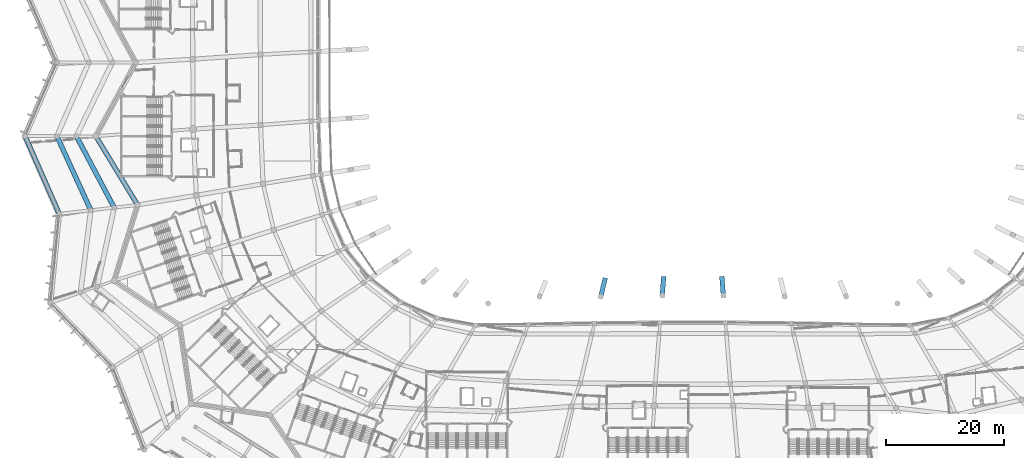
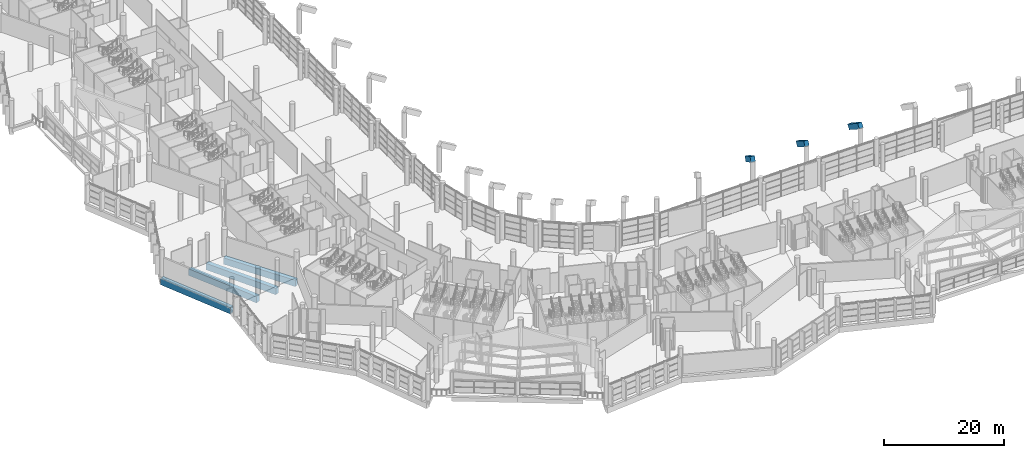
# One storey, part 29 of 271: 7 beams.
"""IFC4 building model written with IfcOpenShell, lengths in metres."""

import ifcopenshell
import ifcopenshell.guid

model = None  # the IFC model being written
_history = None  # IfcOwnerHistory: only IFC2X3 demands one
_inside = {}  # id of a spatial element -> (the spatial element, [elements in it])
_under = {}  # id of a project, library or spatial element -> (it, [spatial elements below it])
_declared = {}  # id of a project -> (the project, [libraries it declares])
_typed = {}  # id of a type object -> (the type object, [elements of that type])
_made_of = {}  # id of a material, layer set ... -> (it, [elements and type objects made of it])


def new_model(schema):
    """Start an empty IFC model of exactly this schema.

    Asked for "IFC4X3", IfcOpenShell would pick the latest addendum, in which some entities
    have other attributes; the version numbers below select the first issue.
    IFC2X3 requires an IfcOwnerHistory on every rooted entity: one is made here for all.
    """
    global model, _history
    if schema == "IFC4X3":
        model = ifcopenshell.file(schema_version=(4, 3, 0, 0))
    else:
        model = ifcopenshell.file(schema=schema)
    _inside.clear()
    _under.clear()
    _declared.clear()
    _typed.clear()
    _made_of.clear()
    _history = None
    if model.schema == "IFC2X3":
        org = make("IfcOrganization", Name="unknown")
        user = make(
            "IfcPersonAndOrganization",
            ThePerson=make("IfcPerson", FamilyName="unknown"),
            TheOrganization=org,
        )
        app = make(
            "IfcApplication",
            ApplicationDeveloper=org,
            Version="unknown",
            ApplicationFullName="unknown",
            ApplicationIdentifier="unknown",
        )
        _history = make(
            "IfcOwnerHistory",
            OwningUser=user,
            OwningApplication=app,
            ChangeAction="ADDED",
            CreationDate=0,
        )
    return model


def make(cls, **values):
    """One entity of the class cls with the attributes given. An attribute that is None is left unset."""
    return model.create_entity(
        cls, **{name: value for name, value in values.items() if value is not None}
    )


def rooted(cls, **values):
    """An entity with a GlobalId (a new one), such as an element, a storey or a relation."""
    return make(cls, GlobalId=ifcopenshell.guid.new(), OwnerHistory=_history, **values)


def si_unit(unit_type, name, prefix=None):
    """IfcSIUnit, for example si_unit("LENGTHUNIT", "METRE", prefix="MILLI")."""
    return make("IfcSIUnit", UnitType=unit_type, Prefix=prefix, Name=name)


def assignment(units):
    """IfcUnitAssignment: the units of a project."""
    return None if units is None else make("IfcUnitAssignment", Units=units)


def point(xyz):
    """IfcCartesianPoint."""
    return None if xyz is None else make("IfcCartesianPoint", Coordinates=xyz)


def direction(xyz):
    """IfcDirection."""
    return None if xyz is None else make("IfcDirection", DirectionRatios=xyz)


def frame(location, z_axis=None, x_axis=None):
    """IfcAxis2Placement3D, a coordinate frame: its origin and axes. An axis left out is left unset."""
    return make(
        "IfcAxis2Placement3D",
        Location=point(location),
        Axis=direction(z_axis),
        RefDirection=direction(x_axis),
    )


def frame_2d(location, x_axis=None):
    """IfcAxis2Placement2D, a coordinate frame in the plane: its origin and x axis."""
    return make(
        "IfcAxis2Placement2D", Location=point(location), RefDirection=direction(x_axis)
    )


def origin():
    """The frame at (0, 0, 0) with its axes left unset."""
    return frame((0.0, 0.0, 0.0))


def origin_2d():
    """The frame at (0, 0) in the plane with its x axis left unset."""
    return frame_2d((0.0, 0.0))


def place(relative_to, where):
    """IfcLocalPlacement: puts the frame where relative to a parent placement (None: the world)."""
    return make(
        "IfcLocalPlacement", PlacementRelTo=relative_to, RelativePlacement=where
    )


def context(
    kind, dimensions, precision=None, world=None, true_north=None, identifier=None
):
    """IfcGeometricRepresentationContext, for example the 3D "Model" context."""
    return make(
        "IfcGeometricRepresentationContext",
        ContextIdentifier=identifier,
        ContextType=kind,
        CoordinateSpaceDimension=dimensions,
        Precision=precision,
        WorldCoordinateSystem=world,
        TrueNorth=true_north,
    )


def subcontext(parent, identifier, kind, view, scale=None):
    """IfcGeometricRepresentationSubContext, for example "Body" below "Model"."""
    return make(
        "IfcGeometricRepresentationSubContext",
        ContextIdentifier=identifier,
        ContextType=kind,
        ParentContext=parent,
        TargetScale=scale,
        TargetView=view,
    )


def project(units=None, contexts=None):
    """IfcProject with its units and contexts."""
    return rooted(
        "IfcProject",
        Name="project",
        RepresentationContexts=contexts,
        UnitsInContext=assignment(units),
    )


def spatial(cls, under=None, at=None, **own):
    """A site, building, storey or space (cls), placed at a placement, below another one or the project."""
    s = rooted(cls, ObjectPlacement=at, **own)
    if under is not None:
        _under.setdefault(under.id(), (under, []))[1].append(s)
    return s


def profile(cls, at=None, kind="AREA", **sizes):
    """A parametric profile (cls). Its sizes go by their IFC names, for example OverallWidth=200.0."""
    return make(cls, ProfileType=kind, Position=at, **sizes)


def rectangle(**sizes):
    """IfcRectangleProfileDef."""
    return profile("IfcRectangleProfileDef", **sizes)


def extrude(swept, where, along, depth):
    """IfcExtrudedAreaSolid: the profile swept, set in the frame where, extruded along a direction by depth."""
    return make(
        "IfcExtrudedAreaSolid",
        SweptArea=swept,
        Position=where,
        ExtrudedDirection=direction(along),
        Depth=depth,
    )


def shape(context_of_items, identifier, shape_type, items):
    """IfcShapeRepresentation: the items that make up one representation, for example the "Body"."""
    return make(
        "IfcShapeRepresentation",
        ContextOfItems=context_of_items,
        RepresentationIdentifier=identifier,
        RepresentationType=shape_type,
        Items=items,
    )


def material(Name=None, Category=None):
    """IfcMaterial."""
    return make("IfcMaterial", Name=Name, Category=Category)


def material_profile(
    of_material, cross_section, Name=None, Category=None, Priority=None
):
    """IfcMaterialProfile: a cross section and its material."""
    return make(
        "IfcMaterialProfile",
        Name=Name,
        Material=of_material,
        Profile=cross_section,
        Priority=Priority,
        Category=Category,
    )


def profile_set(profiles, Name=None, composite=None):
    """IfcMaterialProfileSet."""
    return make(
        "IfcMaterialProfileSet",
        Name=Name,
        MaterialProfiles=profiles,
        CompositeProfile=composite,
    )


def made_of(thing, what):
    """Note that an element or type object is made of a material, layer set ...; save() writes the relation."""
    if what is not None:
        _made_of.setdefault(what.id(), (what, []))[1].append(thing)
    return thing


def type_object(cls, material=None, **own):
    """A type object (cls), such as IfcWallType, which elements share."""
    return made_of(rooted(cls, **own), material)


def element(
    cls,
    number,
    at=None,
    inside=None,
    cuts=None,
    type_object=None,
    material=None,
    context=None,
    identifier="Body",
    shape_type=None,
    held_by="IfcProductDefinitionShape",
    body=None,
    shapes=None,
    **own,
):
    """One element of the class cls, such as IfcWall. Its Tag is "e" and its number.

    at: its placement. inside: the storey or other place that contains it. cuts: it is an
    opening in that element (IfcRelVoidsElement). A single representation is given by context,
    identifier, shape_type and body (its items); several are given by shapes. held_by: the class
    of the entity that holds the representations. save() writes the other relations.
    """
    e = rooted(cls, Tag="e%d" % number, ObjectPlacement=at, **own)
    if body is not None:
        shapes = [shape(context, identifier, shape_type, body)]
    if shapes is not None:
        e.Representation = make(held_by, Representations=shapes)
    if inside is not None:
        _inside.setdefault(inside.id(), (inside, []))[1].append(e)
    if cuts is not None:
        rooted(
            "IfcRelVoidsElement", RelatingBuildingElement=cuts, RelatedOpeningElement=e
        )
    if type_object is not None:
        _typed.setdefault(type_object.id(), (type_object, []))[1].append(e)
    return made_of(e, material)


def aggregate(whole, parts):
    """IfcRelAggregates: a whole, such as a stair, and the parts it consists of."""
    return rooted("IfcRelAggregates", RelatingObject=whole, RelatedObjects=parts)


def save(model, path):
    """Write the relations noted so far, then the file.

    IfcRelAggregates (storeys below a building ...), IfcRelContainedInSpatialStructure (elements
    in a storey), IfcRelDefinesByType, IfcRelAssociatesMaterial and IfcRelDeclares: one each for
    every whole, place, type object, material and project.
    """
    for whole, parts in _under.values():
        aggregate(whole, parts)
    for where, things in _inside.values():
        rooted(
            "IfcRelContainedInSpatialStructure",
            RelatedElements=things,
            RelatingStructure=where,
        )
    for kind, things in _typed.values():
        rooted("IfcRelDefinesByType", RelatedObjects=things, RelatingType=kind)
    for what, things in _made_of.values():
        rooted("IfcRelAssociatesMaterial", RelatedObjects=things, RelatingMaterial=what)
    for by, libraries in _declared.values():
        rooted("IfcRelDeclares", RelatingContext=by, RelatedDefinitions=libraries)
    model.write(path)


model = new_model("IFC4")

# Units and contexts
model_context = context("Model", 3, precision=1e-05, world=origin(), true_north=direction((0.0, 1.0)))
body_context = subcontext(model_context, "Body", "Model", "MODEL_VIEW")
ifc_project = project(units=[si_unit("LENGTHUNIT", "METRE"), si_unit("AREAUNIT", "SQUARE_METRE"), si_unit("VOLUMEUNIT", "CUBIC_METRE"), si_unit("PLANEANGLEUNIT", "RADIAN"), si_unit("MASSUNIT", "GRAM", prefix="KILO")], contexts=[model_context])

# Site, building, storey
site_placement = place(None, origin())
site = spatial("IfcSite", under=ifc_project, at=site_placement, CompositionType="ELEMENT")
building_placement = place(site_placement, origin())
building = spatial("IfcBuilding", under=site, at=building_placement, Name="Meseta Stadium", CompositionType="ELEMENT")
storey_placement = place(building_placement, frame((0.0, 0.0, 6.5)))
storey = spatial("IfcBuildingStorey", under=building, at=storey_placement, Name="L01", CompositionType="ELEMENT", Elevation=6.5)

# Beams
ifc_material_1 = material(Name="Concrete C40/50", Category="concrete")
ifc_material_profile_1 = material_profile(ifc_material_1, rectangle(XDim=0.800048828125, YDim=1.300048828125, at=origin_2d()), Name="RC 800x1300")
ifc_profile_set_1 = profile_set([ifc_material_profile_1], Name="Concrete C40/50")
beam_type_1 = type_object("IfcBeamType", Name="RC beam 800x1300", PredefinedType="BEAM", material=ifc_profile_set_1)
beam_1_placement = place(storey_placement, frame((-101.39990234375, -43.75, -1.0), z_axis=(0.519358064651, -0.854556727598, 0.0), x_axis=(0.854556727598, 0.519358064651, 0.0)))
element("IfcBeam", 1, at=beam_1_placement, inside=storey, type_object=beam_type_1, Name="L01 ring beam frame 36 line R", PredefinedType="BEAM", context=body_context, shape_type="SweptSolid", body=[
    extrude(rectangle(XDim=0.800048828125, YDim=1.300048828125, at=origin_2d()), origin(), (0.0, 0.0, 1.0), 13.68115234375),
])
beam_2_placement = place(storey_placement, frame((-104.699951171875, -43.75, -1.0), z_axis=(0.468110622218, -0.88366987352, 0.0), x_axis=(0.88366987352, 0.468110622218, 0.0)))
element("IfcBeam", 2, at=beam_2_placement, inside=storey, type_object=beam_type_1, Name="L01 ring beam frame 36 line M", PredefinedType="BEAM", context=body_context, shape_type="SweptSolid", body=[
    extrude(rectangle(XDim=0.800048828125, YDim=1.300048828125, at=origin_2d()), origin(), (0.0, 0.0, 1.0), 13.737548828125),
])
beam_3_placement = place(storey_placement, frame((-108.0, -43.75, -1.0), z_axis=(0.415863139592, -0.909427209363, 0.0), x_axis=(0.909427209363, 0.415863139592, 0.0)))
element("IfcBeam", 3, at=beam_3_placement, inside=storey, type_object=beam_type_1, Name="L01 ring beam frame 36 line Q", PredefinedType="BEAM", context=body_context, shape_type="SweptSolid", body=[
    extrude(rectangle(XDim=0.800048828125, YDim=1.300048828125, at=origin_2d()), origin(), (0.0, 0.0, 1.0), 13.8408203125),
])
beam_4_placement = place(storey_placement, frame((-113.39990234375, -43.75, -1.0), z_axis=(0.401887137806, -0.915689209539, 0.0), x_axis=(0.915689209539, 0.401887137806, 0.0)))
element("IfcBeam", 4, at=beam_4_placement, inside=storey, type_object=beam_type_1, Name="L01 ring beam frame 36 line O", PredefinedType="BEAM", context=body_context, shape_type="SweptSolid", body=[
    extrude(rectangle(XDim=0.800048828125, YDim=1.300048828125, at=origin_2d()), origin(), (0.0, 0.0, 1.0), 14.406494140625),
])
ifc_material_2 = material(Name="Concrete C40/50", Category="concrete")
ifc_material_profile_2 = material_profile(ifc_material_2, rectangle(XDim=0.800048828125, YDim=1.0, at=origin_2d()), Name="RC 800x1000")
ifc_profile_set_2 = profile_set([ifc_material_profile_2], Name="Concrete C40/50")
beam_type_2 = type_object("IfcBeamType", Name="RC raker upper front 800x1000", PredefinedType="USERDEFINED", material=ifc_profile_set_2)
beam_5_placement = place(storey_placement, frame((-14.92626953125, -68.09033203125, 4.0654296875), z_axis=(-0.196559900725, -0.825606835303, 0.528902220574), x_axis=(0.972809707254, -0.231605858026, 0.0)))
element("IfcBeam", 5, at=beam_5_placement, inside=storey, type_object=beam_type_2, Name="Raker upper front frame 45 upper tier", ObjectType="RAKER", PredefinedType="USERDEFINED", context=body_context, shape_type="SweptSolid", body=[
    extrude(rectangle(XDim=0.800048828125, YDim=1.0, at=origin_2d()), origin(), (0.0, 0.0, 1.0), 3.534912109375),
])
for number, where, z_axis, x_axis, name in (
    (6, (-4.955078125, -67.83349609375, 3.49755859375), (-0.067134881772, -0.846092902986, 0.528790797164), (0.996866818649, -0.079098330427, 0.0), "Raker upper front frame 46 upper tier"),
    (7, (4.955078125, -67.83349609375, 3.49755859375), (0.067134881772, -0.846092902986, 0.528790797164), (0.996866818649, 0.079098330427, 0.0), "Raker upper front frame 47 upper tier"),
):
    element("IfcBeam", number, at=place(storey_placement, frame(where, z_axis=z_axis, x_axis=x_axis)), inside=storey, type_object=beam_type_2, Name=name, ObjectType="RAKER", PredefinedType="USERDEFINED", context=body_context, shape_type="SweptSolid", body=[
        extrude(rectangle(XDim=0.800048828125, YDim=1.0, at=origin_2d()), origin(), (0.0, 0.0, 1.0), 3.53466796875),
    ])

save(model, "model.ifc")
